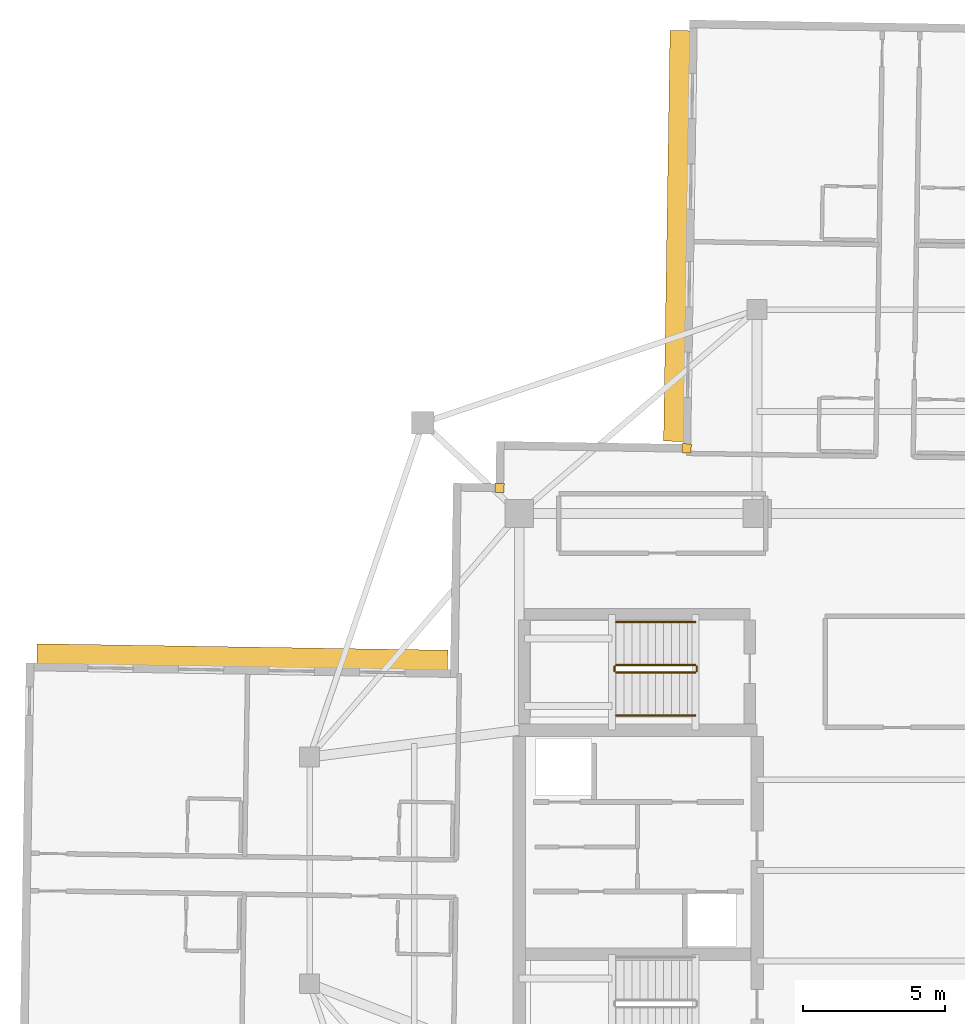
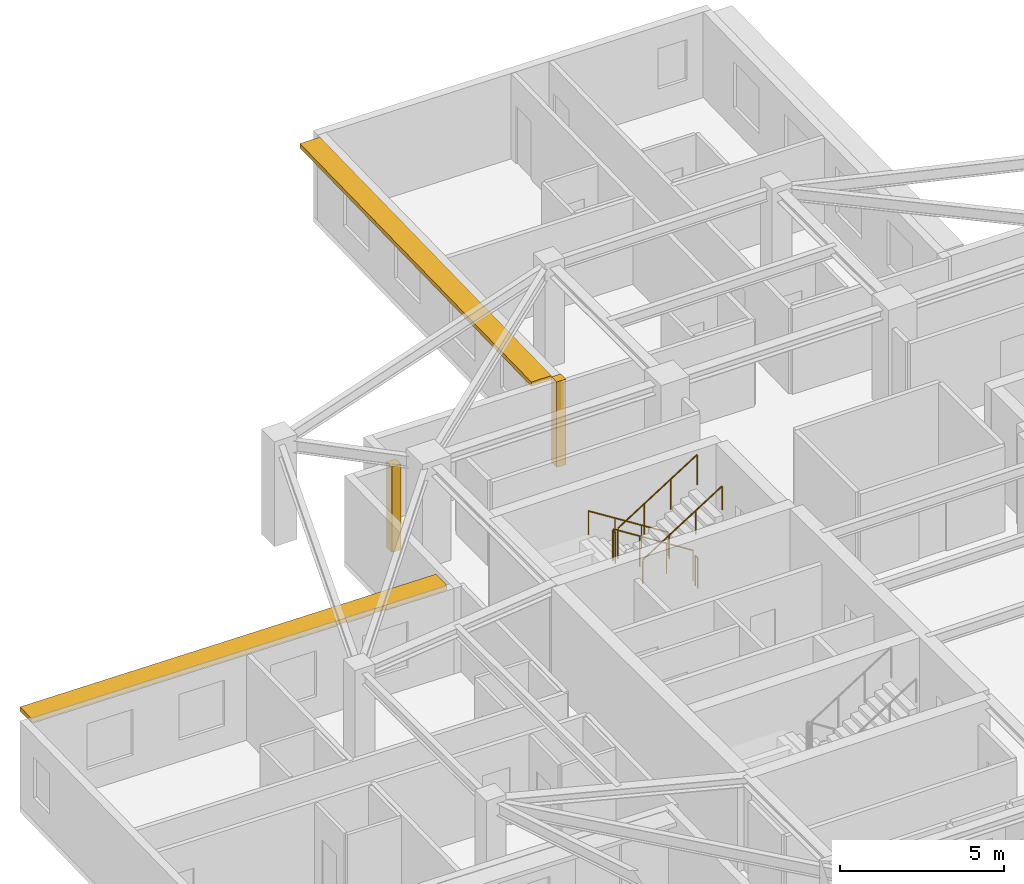
# One storey, part 11 of 12: 6 railings, 2 coverings, 2 shading devices.
"""IFC4 building model written with IfcOpenShell, lengths in metres."""

import ifcopenshell
import ifcopenshell.guid

model = None  # the IFC model being written
_history = None  # IfcOwnerHistory: only IFC2X3 demands one
_inside = {}  # id of a spatial element -> (the spatial element, [elements in it])
_under = {}  # id of a project, library or spatial element -> (it, [spatial elements below it])
_declared = {}  # id of a project -> (the project, [libraries it declares])
_typed = {}  # id of a type object -> (the type object, [elements of that type])
_made_of = {}  # id of a material, layer set ... -> (it, [elements and type objects made of it])


def new_model(schema):
    """Start an empty IFC model of exactly this schema.

    Asked for "IFC4X3", IfcOpenShell would pick the latest addendum, in which some entities
    have other attributes; the version numbers below select the first issue.
    IFC2X3 requires an IfcOwnerHistory on every rooted entity: one is made here for all.
    """
    global model, _history
    if schema == "IFC4X3":
        model = ifcopenshell.file(schema_version=(4, 3, 0, 0))
    else:
        model = ifcopenshell.file(schema=schema)
    _inside.clear()
    _under.clear()
    _declared.clear()
    _typed.clear()
    _made_of.clear()
    _history = None
    if model.schema == "IFC2X3":
        org = make("IfcOrganization", Name="unknown")
        user = make(
            "IfcPersonAndOrganization",
            ThePerson=make("IfcPerson", FamilyName="unknown"),
            TheOrganization=org,
        )
        app = make(
            "IfcApplication",
            ApplicationDeveloper=org,
            Version="unknown",
            ApplicationFullName="unknown",
            ApplicationIdentifier="unknown",
        )
        _history = make(
            "IfcOwnerHistory",
            OwningUser=user,
            OwningApplication=app,
            ChangeAction="ADDED",
            CreationDate=0,
        )
    return model


def make(cls, **values):
    """One entity of the class cls with the attributes given. An attribute that is None is left unset."""
    return model.create_entity(
        cls, **{name: value for name, value in values.items() if value is not None}
    )


def rooted(cls, **values):
    """An entity with a GlobalId (a new one), such as an element, a storey or a relation."""
    return make(cls, GlobalId=ifcopenshell.guid.new(), OwnerHistory=_history, **values)


def si_unit(unit_type, name, prefix=None):
    """IfcSIUnit, for example si_unit("LENGTHUNIT", "METRE", prefix="MILLI")."""
    return make("IfcSIUnit", UnitType=unit_type, Prefix=prefix, Name=name)


def assignment(units):
    """IfcUnitAssignment: the units of a project."""
    return None if units is None else make("IfcUnitAssignment", Units=units)


def point(xyz):
    """IfcCartesianPoint."""
    return None if xyz is None else make("IfcCartesianPoint", Coordinates=xyz)


def direction(xyz):
    """IfcDirection."""
    return None if xyz is None else make("IfcDirection", DirectionRatios=xyz)


def frame(location, z_axis=None, x_axis=None):
    """IfcAxis2Placement3D, a coordinate frame: its origin and axes. An axis left out is left unset."""
    return make(
        "IfcAxis2Placement3D",
        Location=point(location),
        Axis=direction(z_axis),
        RefDirection=direction(x_axis),
    )


def frame_2d(location, x_axis=None):
    """IfcAxis2Placement2D, a coordinate frame in the plane: its origin and x axis."""
    return make(
        "IfcAxis2Placement2D", Location=point(location), RefDirection=direction(x_axis)
    )


def origin():
    """The frame at (0, 0, 0) with its axes left unset."""
    return frame((0.0, 0.0, 0.0))


def origin_2d():
    """The frame at (0, 0) in the plane with its x axis left unset."""
    return frame_2d((0.0, 0.0))


def place(relative_to, where):
    """IfcLocalPlacement: puts the frame where relative to a parent placement (None: the world)."""
    return make(
        "IfcLocalPlacement", PlacementRelTo=relative_to, RelativePlacement=where
    )


def context(
    kind, dimensions, precision=None, world=None, true_north=None, identifier=None
):
    """IfcGeometricRepresentationContext, for example the 3D "Model" context."""
    return make(
        "IfcGeometricRepresentationContext",
        ContextIdentifier=identifier,
        ContextType=kind,
        CoordinateSpaceDimension=dimensions,
        Precision=precision,
        WorldCoordinateSystem=world,
        TrueNorth=true_north,
    )


def subcontext(parent, identifier, kind, view, scale=None):
    """IfcGeometricRepresentationSubContext, for example "Body" below "Model"."""
    return make(
        "IfcGeometricRepresentationSubContext",
        ContextIdentifier=identifier,
        ContextType=kind,
        ParentContext=parent,
        TargetScale=scale,
        TargetView=view,
    )


def project(units=None, contexts=None):
    """IfcProject with its units and contexts."""
    return rooted(
        "IfcProject",
        Name="project",
        RepresentationContexts=contexts,
        UnitsInContext=assignment(units),
    )


def spatial(cls, under=None, at=None, **own):
    """A site, building, storey or space (cls), placed at a placement, below another one or the project."""
    s = rooted(cls, ObjectPlacement=at, **own)
    if under is not None:
        _under.setdefault(under.id(), (under, []))[1].append(s)
    return s


def profile(cls, at=None, kind="AREA", **sizes):
    """A parametric profile (cls). Its sizes go by their IFC names, for example OverallWidth=200.0."""
    return make(cls, ProfileType=kind, Position=at, **sizes)


def rectangle(**sizes):
    """IfcRectangleProfileDef."""
    return profile("IfcRectangleProfileDef", **sizes)


def circle(**sizes):
    """IfcCircleProfileDef."""
    return profile("IfcCircleProfileDef", **sizes)


def extrude(swept, where, along, depth):
    """IfcExtrudedAreaSolid: the profile swept, set in the frame where, extruded along a direction by depth."""
    return make(
        "IfcExtrudedAreaSolid",
        SweptArea=swept,
        Position=where,
        ExtrudedDirection=direction(along),
        Depth=depth,
    )


def shape(context_of_items, identifier, shape_type, items):
    """IfcShapeRepresentation: the items that make up one representation, for example the "Body"."""
    return make(
        "IfcShapeRepresentation",
        ContextOfItems=context_of_items,
        RepresentationIdentifier=identifier,
        RepresentationType=shape_type,
        Items=items,
    )


def material(Name=None, Category=None):
    """IfcMaterial."""
    return make("IfcMaterial", Name=Name, Category=Category)


def layer(
    of_material, thickness, ventilated=None, Name=None, Category=None, Priority=None
):
    """IfcMaterialLayer: one layer of a wall or slab, of a material (None: an air gap)."""
    return make(
        "IfcMaterialLayer",
        Material=of_material,
        LayerThickness=thickness,
        IsVentilated=ventilated,
        Name=Name,
        Category=Category,
        Priority=Priority,
    )


def layer_set(layers, Name=None):
    """IfcMaterialLayerSet."""
    return make("IfcMaterialLayerSet", MaterialLayers=layers, LayerSetName=Name)


def made_of(thing, what):
    """Note that an element or type object is made of a material, layer set ...; save() writes the relation."""
    if what is not None:
        _made_of.setdefault(what.id(), (what, []))[1].append(thing)
    return thing


def type_object(cls, material=None, **own):
    """A type object (cls), such as IfcWallType, which elements share."""
    return made_of(rooted(cls, **own), material)


def element(
    cls,
    number,
    at=None,
    inside=None,
    cuts=None,
    type_object=None,
    material=None,
    context=None,
    identifier="Body",
    shape_type=None,
    held_by="IfcProductDefinitionShape",
    body=None,
    shapes=None,
    **own,
):
    """One element of the class cls, such as IfcWall. Its Tag is "e" and its number.

    at: its placement. inside: the storey or other place that contains it. cuts: it is an
    opening in that element (IfcRelVoidsElement). A single representation is given by context,
    identifier, shape_type and body (its items); several are given by shapes. held_by: the class
    of the entity that holds the representations. save() writes the other relations.
    """
    e = rooted(cls, Tag="e%d" % number, ObjectPlacement=at, **own)
    if body is not None:
        shapes = [shape(context, identifier, shape_type, body)]
    if shapes is not None:
        e.Representation = make(held_by, Representations=shapes)
    if inside is not None:
        _inside.setdefault(inside.id(), (inside, []))[1].append(e)
    if cuts is not None:
        rooted(
            "IfcRelVoidsElement", RelatingBuildingElement=cuts, RelatedOpeningElement=e
        )
    if type_object is not None:
        _typed.setdefault(type_object.id(), (type_object, []))[1].append(e)
    return made_of(e, material)


def aggregate(whole, parts):
    """IfcRelAggregates: a whole, such as a stair, and the parts it consists of."""
    return rooted("IfcRelAggregates", RelatingObject=whole, RelatedObjects=parts)


def save(model, path):
    """Write the relations noted so far, then the file.

    IfcRelAggregates (storeys below a building ...), IfcRelContainedInSpatialStructure (elements
    in a storey), IfcRelDefinesByType, IfcRelAssociatesMaterial and IfcRelDeclares: one each for
    every whole, place, type object, material and project.
    """
    for whole, parts in _under.values():
        aggregate(whole, parts)
    for where, things in _inside.values():
        rooted(
            "IfcRelContainedInSpatialStructure",
            RelatedElements=things,
            RelatingStructure=where,
        )
    for kind, things in _typed.values():
        rooted("IfcRelDefinesByType", RelatedObjects=things, RelatingType=kind)
    for what, things in _made_of.values():
        rooted("IfcRelAssociatesMaterial", RelatedObjects=things, RelatingMaterial=what)
    for by, libraries in _declared.values():
        rooted("IfcRelDeclares", RelatingContext=by, RelatedDefinitions=libraries)
    model.write(path)


model = new_model("IFC4")

# Units and contexts
model_context = context("Model", 3, precision=1e-05, world=origin(), true_north=direction((0.0, 1.0)))
body_context = subcontext(model_context, "Body", "Model", "MODEL_VIEW")
ifc_project = project(units=[si_unit("LENGTHUNIT", "METRE"), si_unit("AREAUNIT", "SQUARE_METRE"), si_unit("VOLUMEUNIT", "CUBIC_METRE"), si_unit("PLANEANGLEUNIT", "RADIAN"), si_unit("MASSUNIT", "GRAM", prefix="KILO")], contexts=[model_context])

# Site, building, storey
site_placement = place(None, origin())
site = spatial("IfcSite", under=ifc_project, at=site_placement, CompositionType="ELEMENT")
building_placement = place(site_placement, origin())
building = spatial("IfcBuilding", under=site, at=building_placement, Name="Qingluan Cross Belvedere", CompositionType="ELEMENT")
storey_placement = place(building_placement, frame((0.0, 0.0, 261.60009765625)))
storey = spatial("IfcBuildingStorey", under=building, at=storey_placement, Name="L65", CompositionType="ELEMENT", Elevation=261.60009765625)

# Coverings
ifc_material_1 = material(Name="Precast concrete C45", Category="concrete")
ifc_layer_1 = layer(ifc_material_1, 0.1201171875, Name="ConcreteSpandrelCladding_120")
ifc_layer_set_1 = layer_set([ifc_layer_1], Name="Precast concrete C45")
covering_type = type_object("IfcCoveringType", Name="ConcreteSpandrelCladding_120", PredefinedType="CLADDING", material=ifc_layer_set_1)
for number, where, z_axis, x_axis, name in (
    (1, (-13.089599609375, 13.50732421875, 0.0), (0.0, 0.0, 1.0), (0.999876632482, -0.015707317312, 0.0), "Corner closure L65-NW1"),
    (2, (-6.48681640625, 14.90380859375, 0.0), (0.0, 0.0, 1.0), (0.999876632482, -0.015707317312, 0.0), "Corner closure L65-NW2"),
):
    element("IfcCovering", number, at=place(storey_placement, frame(where, z_axis=z_axis, x_axis=x_axis)), inside=storey, type_object=covering_type, Name=name, PredefinedType="CLADDING", context=body_context, shape_type="SweptSolid", body=[
        extrude(rectangle(XDim=0.320068359375, YDim=0.320068359375, at=origin_2d()), origin(), (0.0, 0.0, 1.0), 3.179931640625),
    ])

# Shading devices
ifc_material_2 = material(Name="Precast concrete C45", Category="concrete")
ifc_layer_2 = layer(ifc_material_2, 0.139892578125, Name="ConcreteSunshadeBand_700")
ifc_layer_set_2 = layer_set([ifc_layer_2], Name="Precast concrete C45")
shading_device_type = type_object("IfcShadingDeviceType", Name="ConcreteSunshadeBand_700", PredefinedType="USERDEFINED", material=ifc_layer_set_2)
for number, where, z_axis, x_axis, name in (
    (3, (-6.839111328125, 22.400146484375, 3.0), (0.0, 0.0, 1.0), (-0.015707468526, -0.999876630106, 0.0), "Concrete SUNSHADE L65-NB"),
    (4, (-22.17431640625, 7.539306640625, 3.0), (0.0, 0.0, 1.0), (-0.999876630106, 0.015707468526, 0.0), "Concrete SUNSHADE L65-WA"),
):
    element("IfcShadingDevice", number, at=place(storey_placement, frame(where, z_axis=z_axis, x_axis=x_axis)), inside=storey, type_object=shading_device_type, Name=name, ObjectType="SUNSHADE", PredefinedType="USERDEFINED", context=body_context, shape_type="SweptSolid", body=[
        extrude(rectangle(XDim=14.5, YDim=0.699951171875, at=origin_2d()), origin(), (0.0, 0.0, 1.0), 0.159912109375),
    ])

# Railings
ifc_material_3 = material(Name="Brushed stainless steel tubular handrail", Category="steel")
railing_type_1 = type_object("IfcRailingType", Name="StairPitchHandrail_900", PredefinedType="HANDRAIL", material=ifc_material_3)
railing_1_placement = place(storey_placement, frame((-6.179931640625, 8.77001953125, 0.17724609375)))
element("IfcRailing", 5, at=railing_1_placement, inside=storey, type_object=railing_type_1, Name="L65 ST3 stair handrail 1", PredefinedType="HANDRAIL", context=body_context, shape_type="SweptSolid", body=[
    extrude(circle(Radius=0.02392578125, at=origin_2d()), frame((0.0, 0.0, 0.8759765625), z_axis=(-0.844908973607, 0.0, 0.534910110503), x_axis=(0.0, -1.0, 0.0)), (0.0, 0.0, 1.0), 3.31396484375),
    extrude(circle(Radius=0.02099609375, at=origin_2d()), origin(), (0.0, 0.0, 1.0), 0.851806640625),
    extrude(circle(Radius=0.02099609375, at=origin_2d()), frame((-0.933349609375, 0.0, 0.5908203125)), (0.0, 0.0, 1.0), 0.851806640625),
    extrude(circle(Radius=0.02099609375, at=origin_2d()), frame((-1.86669921875, 0.0, 1.181884765625)), (0.0, 0.0, 1.0), 0.851806640625),
    extrude(circle(Radius=0.02099609375, at=origin_2d()), frame((-2.800048828125, 0.0, 1.772705078125)), (0.0, 0.0, 1.0), 0.851806640625),
])
railing_2_placement = place(storey_placement, frame((-8.97998046875, 5.469970703125, 2.127197265625)))
element("IfcRailing", 6, at=railing_2_placement, inside=storey, type_object=railing_type_1, Name="L65 ST3 stair handrail 2", PredefinedType="HANDRAIL", context=body_context, shape_type="SweptSolid", body=[
    extrude(circle(Radius=0.02392578125, at=origin_2d()), frame((0.0, 0.0, 0.8759765625), z_axis=(0.844908973607, 0.0, 0.534910110503), x_axis=(0.0, 1.0, 0.0)), (0.0, 0.0, 1.0), 3.31396484375),
    extrude(circle(Radius=0.02099609375, at=origin_2d()), origin(), (0.0, 0.0, 1.0), 0.851806640625),
    extrude(circle(Radius=0.02099609375, at=origin_2d()), frame((0.933349609375, 0.0, 0.5908203125)), (0.0, 0.0, 1.0), 0.851806640625),
    extrude(circle(Radius=0.02099609375, at=origin_2d()), frame((1.86669921875, 0.0, 1.181884765625)), (0.0, 0.0, 1.0), 0.851806640625),
    extrude(circle(Radius=0.02099609375, at=origin_2d()), frame((2.800048828125, 0.0, 1.772705078125)), (0.0, 0.0, 1.0), 0.851806640625),
])
ifc_material_4 = material(Name="Painted steel stair well guard", Category="steel")
railing_type_2 = type_object("IfcRailingType", Name="StairWellGuard_1150", PredefinedType="BALUSTRADE", material=ifc_material_4)
railing_3_placement = place(storey_placement, frame((-6.179931640625, 7.25, 0.17724609375)))
element("IfcRailing", 7, at=railing_3_placement, inside=storey, type_object=railing_type_2, Name="L65 ST3 stair guard 1", PredefinedType="BALUSTRADE", context=body_context, shape_type="SweptSolid", body=[
    extrude(circle(Radius=0.02392578125, at=origin_2d()), frame((0.0, 0.0, 1.1259765625), z_axis=(-0.844908973607, 0.0, 0.534910110503), x_axis=(0.0, -1.0, 0.0)), (0.0, 0.0, 1.0), 3.31396484375),
    extrude(circle(Radius=0.02099609375, at=origin_2d()), origin(), (0.0, 0.0, 1.0), 1.101806640625),
    extrude(circle(Radius=0.02099609375, at=origin_2d()), frame((-0.933349609375, 0.0, 0.5908203125)), (0.0, 0.0, 1.0), 1.101806640625),
    extrude(circle(Radius=0.02099609375, at=origin_2d()), frame((-1.86669921875, 0.0, 1.181884765625)), (0.0, 0.0, 1.0), 1.101806640625),
    extrude(circle(Radius=0.02099609375, at=origin_2d()), frame((-2.800048828125, 0.0, 1.772705078125)), (0.0, 0.0, 1.0), 1.101806640625),
])
railing_4_placement = place(storey_placement, frame((-9.030029296875, 7.199951171875, 1.949951171875)))
element("IfcRailing", 8, at=railing_4_placement, inside=storey, type_object=railing_type_2, Name="L65 ST3 stair guard 2", PredefinedType="BALUSTRADE", context=body_context, shape_type="SweptSolid", body=[
    extrude(circle(Radius=0.02392578125, at=origin_2d()), frame((0.0, 0.0, 1.1259765625), z_axis=(0.0, -1.0, 0.0), x_axis=(1.0, 0.0, 0.0)), (0.0, 0.0, 1.0), 0.159912109375),
    extrude(circle(Radius=0.02099609375, at=origin_2d()), origin(), (0.0, 0.0, 1.0), 1.101806640625),
    extrude(circle(Radius=0.02099609375, at=origin_2d()), frame((0.0, -0.159912109375, 0.0)), (0.0, 0.0, 1.0), 1.101806640625),
])
railing_5_placement = place(storey_placement, frame((-8.97998046875, 6.989990234375, 2.127197265625)))
element("IfcRailing", 9, at=railing_5_placement, inside=storey, type_object=railing_type_2, Name="L65 ST3 stair guard 3", PredefinedType="BALUSTRADE", context=body_context, shape_type="SweptSolid", body=[
    extrude(circle(Radius=0.02392578125, at=origin_2d()), frame((0.0, 0.0, 1.1259765625), z_axis=(0.844908973607, 0.0, 0.534910110503), x_axis=(0.0, 1.0, 0.0)), (0.0, 0.0, 1.0), 3.31396484375),
    extrude(circle(Radius=0.02099609375, at=origin_2d()), origin(), (0.0, 0.0, 1.0), 1.101806640625),
    extrude(circle(Radius=0.02099609375, at=origin_2d()), frame((0.933349609375, 0.0, 0.5908203125)), (0.0, 0.0, 1.0), 1.101806640625),
    extrude(circle(Radius=0.02099609375, at=origin_2d()), frame((1.86669921875, 0.0, 1.181884765625)), (0.0, 0.0, 1.0), 1.101806640625),
    extrude(circle(Radius=0.02099609375, at=origin_2d()), frame((2.800048828125, 0.0, 1.772705078125)), (0.0, 0.0, 1.0), 1.101806640625),
])
railing_6_placement = place(storey_placement, frame((-6.1298828125, 7.199951171875, 0.0)))
element("IfcRailing", 10, at=railing_6_placement, inside=storey, type_object=railing_type_2, Name="L65 ST3 stair guard 4", PredefinedType="BALUSTRADE", context=body_context, shape_type="SweptSolid", body=[
    extrude(circle(Radius=0.02392578125, at=origin_2d()), frame((0.0, 0.0, 1.1259765625), z_axis=(0.0, -1.0, 0.0), x_axis=(1.0, 0.0, 0.0)), (0.0, 0.0, 1.0), 0.159912109375),
    extrude(circle(Radius=0.02099609375, at=origin_2d()), origin(), (0.0, 0.0, 1.0), 1.101806640625),
    extrude(circle(Radius=0.02099609375, at=origin_2d()), frame((0.0, -0.159912109375, 0.0)), (0.0, 0.0, 1.0), 1.101806640625),
])

save(model, "model.ifc")
